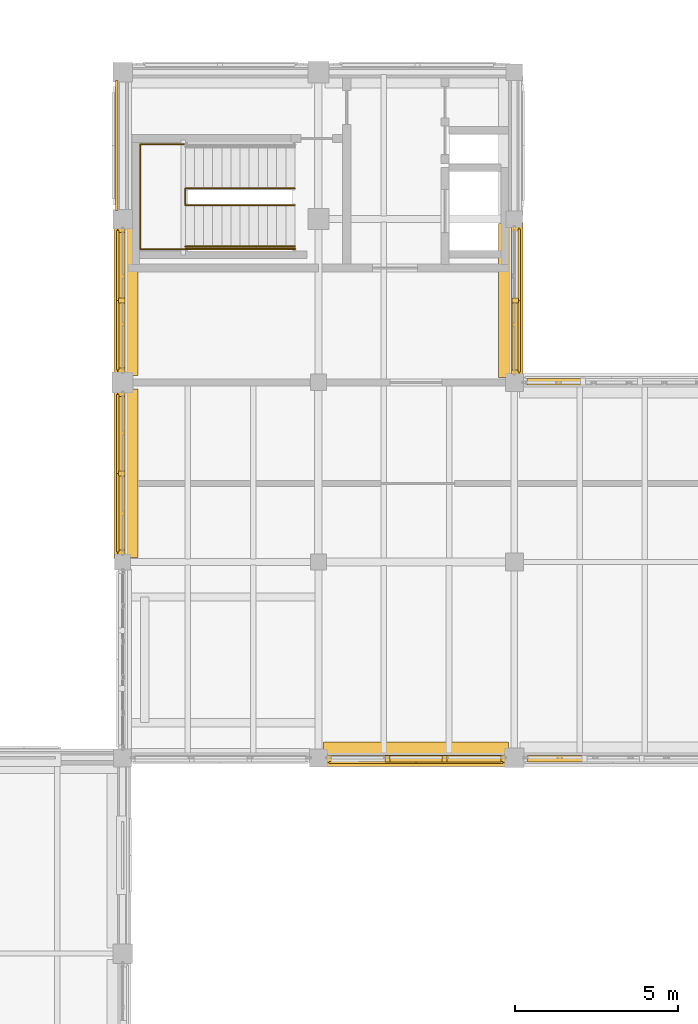
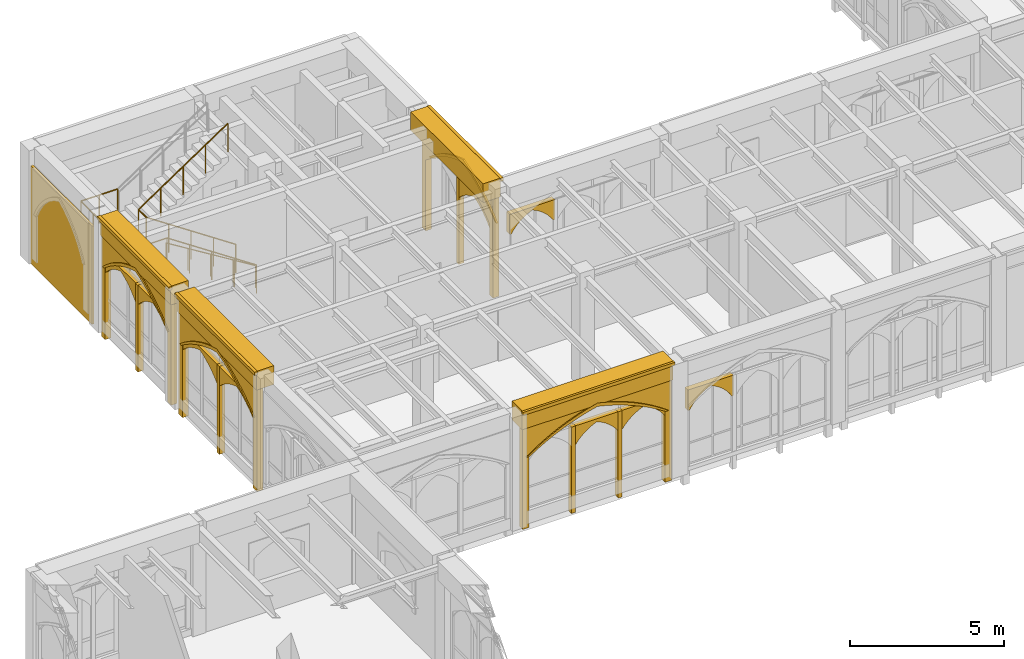
# One storey, part 120 of 143: 31 coverings, 4 railings.
"""IFC4 building model written with IfcOpenShell, lengths in metres."""

from ifc_helpers import new_model, si_unit, direction, frame, origin, origin_2d, place, context, subcontext, project, spatial, polyline, rectangle, circle, outline, extrude, material, type_object, element, save


model = new_model("IFC4")

# Units and contexts
model_context = context("Model", 3, precision=1e-05, world=origin(), true_north=direction((0.0, 1.0)))
body_context = subcontext(model_context, "Body", "Model", "MODEL_VIEW")
ifc_project = project(units=[si_unit("LENGTHUNIT", "METRE"), si_unit("AREAUNIT", "SQUARE_METRE"), si_unit("VOLUMEUNIT", "CUBIC_METRE"), si_unit("PLANEANGLEUNIT", "RADIAN"), si_unit("MASSUNIT", "GRAM", prefix="KILO")], contexts=[model_context])

# Site, building, storey
site_placement = place(None, origin())
site = spatial("IfcSite", under=ifc_project, at=site_placement, CompositionType="ELEMENT")
building_placement = place(site_placement, origin())
building = spatial("IfcBuilding", under=site, at=building_placement, Name="Cumevento Cable Car Station", CompositionType="ELEMENT")
storey_placement = place(building_placement, frame((0.0, 0.0, 9.0)))
storey = spatial("IfcBuildingStorey", under=building, at=storey_placement, Name="L03", CompositionType="ELEMENT", Elevation=9.0)

# Railings
ifc_material_1 = material(Name="Painted Galvanised Architectural Steel", Category="steel")
railing_type_1 = type_object("IfcRailingType", Name="Stair Guardrail GR-S115", PredefinedType="GUARDRAIL", material=ifc_material_1)
railing_1_placement = place(storey_placement, frame((27.280029296875, 61.929931640625, 0.0)))
element("IfcRailing", 1, at=railing_1_placement, inside=storey, type_object=railing_type_1, Name="Stair Well Inner Guardrail ST-04-L03", PredefinedType="GUARDRAIL", context=body_context, shape_type="SweptSolid", body=[
    extrude(circle(Radius=0.02392578125, at=origin_2d()), frame((0.0, 0.0, 1.1259765625), z_axis=(-0.830915400975, 0.0, 0.556398774641), x_axis=(0.0, -1.0, 0.0)), (0.0, 0.0, 1.0), 4.0439453125),
    extrude(circle(Radius=0.02392578125, at=origin_2d()), frame((-3.360107421875, 0.0, 3.3759765625), z_axis=(0.0, 1.0, 0.0), x_axis=(-1.0, 0.0, 0.0)), (0.0, 0.0, 1.0), 0.510009765625),
    extrude(circle(Radius=0.02392578125, at=origin_2d()), frame((-3.360107421875, 0.510009765625, 3.3759765625), z_axis=(0.830915400975, 0.0, 0.556398774641), x_axis=(0.0, 1.0, 0.0)), (0.0, 0.0, 1.0), 4.0439453125),
    extrude(circle(Radius=0.02001953125, at=origin_2d()), origin(), (0.0, 0.0, 1.0), 1.101806640625),
    extrude(circle(Radius=0.02001953125, at=origin_2d()), frame((-0.840087890625, 0.0, 0.5625)), (0.0, 0.0, 1.0), 1.101806640625),
    extrude(circle(Radius=0.02001953125, at=origin_2d()), frame((-1.68017578125, 0.0, 1.125)), (0.0, 0.0, 1.0), 1.101806640625),
    extrude(circle(Radius=0.02001953125, at=origin_2d()), frame((-2.52001953125, 0.0, 1.6875)), (0.0, 0.0, 1.0), 1.101806640625),
    extrude(circle(Radius=0.02001953125, at=origin_2d()), frame((-3.360107421875, 0.0, 2.25)), (0.0, 0.0, 1.0), 1.101806640625),
    extrude(circle(Radius=0.02001953125, at=origin_2d()), frame((-3.360107421875, 0.510009765625, 2.25)), (0.0, 0.0, 1.0), 1.101806640625),
    extrude(circle(Radius=0.02001953125, at=origin_2d()), frame((-2.52001953125, 0.510009765625, 2.8125)), (0.0, 0.0, 1.0), 1.101806640625),
    extrude(circle(Radius=0.02001953125, at=origin_2d()), frame((-1.68017578125, 0.510009765625, 3.375)), (0.0, 0.0, 1.0), 1.101806640625),
    extrude(circle(Radius=0.02001953125, at=origin_2d()), frame((-0.840087890625, 0.510009765625, 3.9375)), (0.0, 0.0, 1.0), 1.101806640625),
    extrude(circle(Radius=0.02001953125, at=origin_2d()), frame((0.0, 0.510009765625, 4.5)), (0.0, 0.0, 1.0), 1.101806640625),
])
railing_2_placement = place(storey_placement, frame((23.919921875, 60.580078125, 2.25)))
element("IfcRailing", 2, at=railing_2_placement, inside=storey, type_object=railing_type_1, Name="Stair Half-Landing Guardrail ST-04-L03", PredefinedType="GUARDRAIL", context=body_context, shape_type="SweptSolid", body=[
    extrude(circle(Radius=0.02392578125, at=origin_2d()), frame((0.0, 0.0, 1.1259765625), z_axis=(-1.0, 0.0, 0.0), x_axis=(0.0, -1.0, 0.0)), (0.0, 0.0, 1.0), 1.3798828125),
    extrude(circle(Radius=0.02392578125, at=origin_2d()), frame((-1.3798828125, 0.0, 1.1259765625), z_axis=(0.0, 1.0, 0.0), x_axis=(-1.0, 0.0, 0.0)), (0.0, 0.0, 1.0), 3.2099609375),
    extrude(circle(Radius=0.02392578125, at=origin_2d()), frame((-1.3798828125, 3.2099609375, 1.1259765625), z_axis=(1.0, 0.0, 0.0), x_axis=(0.0, 1.0, 0.0)), (0.0, 0.0, 1.0), 1.3798828125),
    extrude(circle(Radius=0.02001953125, at=origin_2d()), origin(), (0.0, 0.0, 1.0), 1.101806640625),
    extrude(circle(Radius=0.02001953125, at=origin_2d()), frame((-0.68994140625, 0.0, 0.0)), (0.0, 0.0, 1.0), 1.101806640625),
    extrude(circle(Radius=0.02001953125, at=origin_2d()), frame((-1.3798828125, 0.0, 0.0)), (0.0, 0.0, 1.0), 1.101806640625),
    extrude(circle(Radius=0.02001953125, at=origin_2d()), frame((-1.3798828125, 0.802490234375, 0.0)), (0.0, 0.0, 1.0), 1.101806640625),
    extrude(circle(Radius=0.02001953125, at=origin_2d()), frame((-1.3798828125, 1.60498046875, 0.0)), (0.0, 0.0, 1.0), 1.101806640625),
    extrude(circle(Radius=0.02001953125, at=origin_2d()), frame((-1.3798828125, 2.407470703125, 0.0)), (0.0, 0.0, 1.0), 1.101806640625),
    extrude(circle(Radius=0.02001953125, at=origin_2d()), frame((-1.3798828125, 3.2099609375, 0.0)), (0.0, 0.0, 1.0), 1.101806640625),
    extrude(circle(Radius=0.02001953125, at=origin_2d()), frame((-0.68994140625, 3.2099609375, 0.0)), (0.0, 0.0, 1.0), 1.101806640625),
    extrude(circle(Radius=0.02001953125, at=origin_2d()), frame((0.0, 3.2099609375, 0.0)), (0.0, 0.0, 1.0), 1.101806640625),
])
railing_3_placement = place(storey_placement, frame((27.280029296875, 60.580078125, 0.0)))
element("IfcRailing", 3, at=railing_3_placement, inside=storey, type_object=railing_type_1, Name="Stair Outer Guardrail ST-04-L03 F1", PredefinedType="GUARDRAIL", context=body_context, shape_type="SweptSolid", body=[
    extrude(circle(Radius=0.02392578125, at=origin_2d()), frame((0.0, 0.0, 1.1259765625), z_axis=(-0.830915400975, 0.0, 0.556398774641), x_axis=(0.0, -1.0, 0.0)), (0.0, 0.0, 1.0), 4.0439453125),
    extrude(circle(Radius=0.02001953125, at=origin_2d()), origin(), (0.0, 0.0, 1.0), 1.101806640625),
    extrude(circle(Radius=0.02001953125, at=origin_2d()), frame((-0.840087890625, 0.0, 0.5625)), (0.0, 0.0, 1.0), 1.101806640625),
    extrude(circle(Radius=0.02001953125, at=origin_2d()), frame((-1.68017578125, 0.0, 1.125)), (0.0, 0.0, 1.0), 1.101806640625),
    extrude(circle(Radius=0.02001953125, at=origin_2d()), frame((-2.52001953125, 0.0, 1.6875)), (0.0, 0.0, 1.0), 1.101806640625),
    extrude(circle(Radius=0.02001953125, at=origin_2d()), frame((-3.360107421875, 0.0, 2.25)), (0.0, 0.0, 1.0), 1.101806640625),
])
ifc_material_2 = material(Name="Brushed Stainless Steel Handrail Tube", Category="steel")
railing_type_2 = type_object("IfcRailingType", Name="Stair Handrail HR-090", PredefinedType="HANDRAIL", material=ifc_material_2)
railing_4_placement = place(storey_placement, frame((27.280029296875, 60.659912109375, 0.17626953125)))
element("IfcRailing", 4, at=railing_4_placement, inside=storey, type_object=railing_type_2, Name="Stair Pitch Handrail ST-04-L03 F1", PredefinedType="HANDRAIL", context=body_context, shape_type="SweptSolid", body=[
    extrude(circle(Radius=0.02099609375, at=origin_2d()), frame((0.0, 0.0, 0.87890625), z_axis=(-0.850623216509, 0.0, 0.525775754039), x_axis=(0.0, -1.0, 0.0)), (0.0, 0.0, 1.0), 3.9501953125),
    extrude(circle(Radius=0.01611328125, at=origin_2d()), origin(), (0.0, 0.0, 1.0), 0.85791015625),
    extrude(circle(Radius=0.01611328125, at=origin_2d()), frame((-0.840087890625, 0.0, 0.519287109375)), (0.0, 0.0, 1.0), 0.85791015625),
    extrude(circle(Radius=0.01611328125, at=origin_2d()), frame((-1.68017578125, 0.0, 1.03857421875)), (0.0, 0.0, 1.0), 0.85791015625),
    extrude(circle(Radius=0.01611328125, at=origin_2d()), frame((-2.52001953125, 0.0, 1.5576171875)), (0.0, 0.0, 1.0), 0.85791015625),
    extrude(circle(Radius=0.01611328125, at=origin_2d()), frame((-3.360107421875, 0.0, 2.076904296875)), (0.0, 0.0, 1.0), 0.85791015625),
])

# Coverings
ifc_material_3 = material(Name="Gnaisse Facoidal Stone Ashlar 85 MPa", Category="masonry")
covering_type = type_object("IfcCoveringType", Name="Gnaisse Ashlar Cladding CV-CL01", PredefinedType="CLADDING", material=ifc_material_3)
covering_1_placement = place(storey_placement, frame((30.987548828125, 45.14990234375, 3.8330078125), z_axis=(0.0, 0.0, 1.0), x_axis=(-1.0, 0.0, 0.0)))
element("IfcCovering", 5, at=covering_1_placement, inside=storey, type_object=covering_type, Name="Gothic Stone Spandrel Stringcourse sc:0627", PredefinedType="CLADDING", context=body_context, shape_type="SweptSolid", body=[
    extrude(rectangle(XDim=5.6650390625, YDim=0.659912109375, at=origin_2d()), origin(), (0.0, 0.0, 1.0), 0.7470703125),
])
covering_2_placement = place(storey_placement, frame((30.987548828125, 44.79248046875, 4.449951171875), z_axis=(0.0, 0.0, 1.0), x_axis=(-1.0, 0.0, 0.0)))
element("IfcCovering", 6, at=covering_2_placement, inside=storey, type_object=covering_type, Name="Gothic Cornice Dripstone Lip sc:0627", PredefinedType="CLADDING", context=body_context, shape_type="SweptSolid", body=[
    extrude(rectangle(XDim=5.705078125, YDim=0.114990234375, at=origin_2d()), origin(), (0.0, 0.0, 1.0), 0.1298828125),
])
covering_3_placement = place(storey_placement, frame((22.14990234375, 53.71240234375, 3.796875), z_axis=(0.0, 0.0, 1.0), x_axis=(0.0, 1.0, 0.0)))
element("IfcCovering", 7, at=covering_3_placement, inside=storey, type_object=covering_type, Name="Gothic Stone Spandrel Stringcourse sc:0635", PredefinedType="CLADDING", context=body_context, shape_type="SweptSolid", body=[
    extrude(rectangle(XDim=5.1650390625, YDim=0.659912109375, at=origin_2d()), origin(), (0.0, 0.0, 1.0), 0.7470703125),
])
covering_4_placement = place(storey_placement, frame((21.79248046875, 53.71240234375, 4.4140625), z_axis=(0.0, 0.0, 1.0), x_axis=(0.0, 1.0, 0.0)))
element("IfcCovering", 8, at=covering_4_placement, inside=storey, type_object=covering_type, Name="Gothic Cornice Dripstone Lip sc:0635", PredefinedType="CLADDING", context=body_context, shape_type="SweptSolid", body=[
    extrude(rectangle(XDim=5.205078125, YDim=0.114990234375, at=origin_2d()), origin(), (0.0, 0.0, 1.0), 0.1298828125),
])
covering_5_placement = place(storey_placement, frame((22.14990234375, 59.012451171875, 3.796875), z_axis=(0.0, 0.0, 1.0), x_axis=(0.0, 1.0, 0.0)))
element("IfcCovering", 9, at=covering_5_placement, inside=storey, type_object=covering_type, Name="Gothic Stone Spandrel Stringcourse sc:0638", PredefinedType="CLADDING", context=body_context, shape_type="SweptSolid", body=[
    extrude(rectangle(XDim=4.614990234375, YDim=0.659912109375, at=origin_2d()), origin(), (0.0, 0.0, 1.0), 0.7470703125),
])
covering_6_placement = place(storey_placement, frame((21.79248046875, 59.012451171875, 4.4140625), z_axis=(0.0, 0.0, 1.0), x_axis=(0.0, 1.0, 0.0)))
element("IfcCovering", 10, at=covering_6_placement, inside=storey, type_object=covering_type, Name="Gothic Cornice Dripstone Lip sc:0638", PredefinedType="CLADDING", context=body_context, shape_type="SweptSolid", body=[
    extrude(rectangle(XDim=4.655029296875, YDim=0.114990234375, at=origin_2d()), origin(), (0.0, 0.0, 1.0), 0.1298828125),
])
covering_7_placement = place(storey_placement, frame((33.85009765625, 59.012451171875, 3.796875), z_axis=(0.0, 0.0, 1.0), x_axis=(0.0, -1.0, 0.0)))
element("IfcCovering", 11, at=covering_7_placement, inside=storey, type_object=covering_type, Name="Gothic Stone Spandrel Stringcourse sc:0640", PredefinedType="CLADDING", context=body_context, shape_type="SweptSolid", body=[
    extrude(rectangle(XDim=4.715087890625, YDim=0.659912109375, at=origin_2d()), origin(), (0.0, 0.0, 1.0), 0.7470703125),
])
covering_8_placement = place(storey_placement, frame((34.20751953125, 59.012451171875, 4.4140625), z_axis=(0.0, 0.0, 1.0), x_axis=(0.0, -1.0, 0.0)))
element("IfcCovering", 12, at=covering_8_placement, inside=storey, type_object=covering_type, Name="Gothic Cornice Dripstone Lip sc:0640", PredefinedType="CLADDING", context=body_context, shape_type="SweptSolid", body=[
    extrude(rectangle(XDim=4.7548828125, YDim=0.114990234375, at=origin_2d()), origin(), (0.0, 0.0, 1.0), 0.1298828125),
])
placement_1 = place(storey_placement, frame((33.699951171875, 45.0, -0.159912109375), z_axis=(0.0, 0.0, 1.0), x_axis=(-1.0, 0.0, 0.0)))
element("IfcCovering", 13, at=placement_1, inside=storey, type_object=covering_type, Name="Gothic Ogival Pointed-Arch Stone Spandrel cw_ogival:0095", PredefinedType="CLADDING", context=body_context, shape_type="SweptSolid", body=[
    extrude(outline(polyline([(-0.080078125, 0.0), (-0.080078125, 4.133056640625), (5.5048828125, 4.133056640625), (5.5048828125, 0.0), (5.264892578125, 0.0), (5.264892578125, 2.838623046875), (4.970703125, 3.0263671875), (4.66796875, 3.200439453125), (4.357421875, 3.360107421875), (4.039794921875, 3.505126953125), (3.7158203125, 3.635009765625), (3.38623046875, 3.75), (3.051513671875, 3.849365234375), (2.71240234375, 3.932861328125), (2.37353515625, 3.849365234375), (2.038818359375, 3.75), (1.709228515625, 3.635009765625), (1.38525390625, 3.505126953125), (1.067626953125, 3.360107421875), (0.757080078125, 3.200439453125), (0.454345703125, 3.0263671875), (0.159912109375, 2.838623046875), (0.159912109375, 0.0), (-0.080078125, 0.0)])), frame((0.0, 0.139892578125, 0.0), z_axis=(0.0, -1.0, 0.0), x_axis=(1.0, 0.0, 0.0)), (0.0, 0.0, 1.0), 0.219970703125),
])
covering_10_placement = place(storey_placement, frame((33.699951171875, 45.0, 2.6787109375), z_axis=(0.0, 0.0, 1.0), x_axis=(-1.0, 0.0, 0.0)))
element("IfcCovering", 14, at=covering_10_placement, inside=storey, type_object=covering_type, Name="Gothic Pointed Archivolt Hood Moulding cw_ogival:0095", PredefinedType="CLADDING", context=body_context, shape_type="SweptSolid", body=[
    extrude(outline(polyline([(0.159912109375, 0.0), (0.454345703125, 0.187744140625), (0.757080078125, 0.36181640625), (1.067626953125, 0.521484375), (1.38525390625, 0.66650390625), (1.709228515625, 0.79638671875), (2.038818359375, 0.911376953125), (2.37353515625, 1.0107421875), (2.71240234375, 1.09423828125), (3.051513671875, 1.0107421875), (3.38623046875, 0.911376953125), (3.7158203125, 0.79638671875), (4.039794921875, 0.66650390625), (4.357421875, 0.521484375), (4.66796875, 0.36181640625), (4.970703125, 0.187744140625), (5.264892578125, 0.0), (5.375, 0.0), (5.072021484375, 0.210693359375), (4.7587890625, 0.40625), (4.4365234375, 0.585693359375), (4.10546875, 0.7490234375), (3.7666015625, 0.8955078125), (3.4208984375, 1.025146484375), (3.0693359375, 1.13720703125), (2.71240234375, 1.231689453125), (2.355712890625, 1.13720703125), (2.004150390625, 1.025146484375), (1.658447265625, 0.8955078125), (1.319580078125, 0.7490234375), (0.988525390625, 0.585693359375), (0.666259765625, 0.40625), (0.35302734375, 0.210693359375), (0.050048828125, 0.0), (0.159912109375, 0.0)])), frame((0.0, 0.181884765625, 0.0), z_axis=(0.0, -1.0, 0.0), x_axis=(1.0, 0.0, 0.0)), (0.0, 0.0, 1.0), 0.06689453125),
])
element("IfcCovering", 15, at=placement_1, inside=storey, type_object=covering_type, Name="Gothic Bifora Stone Colonnette cw_ogival:0095 #1", PredefinedType="CLADDING", context=body_context, shape_type="SweptSolid", body=[
    extrude(outline(polyline([(1.76171875, -0.02001953125), (1.91162109375, -0.02001953125), (1.91162109375, 3.40771484375), (1.76171875, 3.40771484375), (1.76171875, -0.02001953125)])), frame((0.0, 0.1279296875, 0.0), z_axis=(0.0, -1.0, 0.0), x_axis=(1.0, 0.0, 0.0)), (0.0, 0.0, 1.0), 0.205078125),
])
element("IfcCovering", 16, at=placement_1, inside=storey, type_object=covering_type, Name="Gothic Bifora Stone Colonnette cw_ogival:0095 #2", PredefinedType="CLADDING", context=body_context, shape_type="SweptSolid", body=[
    extrude(outline(polyline([(3.513427734375, -0.02001953125), (3.663330078125, -0.02001953125), (3.663330078125, 3.40771484375), (3.513427734375, 3.40771484375), (3.513427734375, -0.02001953125)])), frame((0.0, 0.1279296875, 0.0), z_axis=(0.0, -1.0, 0.0), x_axis=(1.0, 0.0, 0.0)), (0.0, 0.0, 1.0), 0.205078125),
])
for number, where, z_axis, x_axis, name in (
    (17, (33.570068359375, 45.0, 2.498779296875), (0.0, 0.0, 1.0), (-1.0, 0.0, 0.0), "Gothic Ogival Pointed-Arch Stone Spandrel cw_ogival:0095:sub:0"),
    (18, (31.818359375, 45.0, 2.498779296875), (0.0, 0.0, 1.0), (-1.0, 0.0, 0.0), "Gothic Ogival Pointed-Arch Stone Spandrel cw_ogival:0095:sub:1"),
):
    element("IfcCovering", number, at=place(storey_placement, frame(where, z_axis=z_axis, x_axis=x_axis)), inside=storey, type_object=covering_type, Name=name, PredefinedType="CLADDING", context=body_context, shape_type="SweptSolid", body=[
        extrude(outline(polyline([(-0.02001953125, 0.0), (-0.02001953125, 0.7490234375), (1.681640625, 0.7490234375), (1.681640625, 0.0), (1.62158203125, 0.0), (1.519287109375, 0.136962890625), (1.4033203125, 0.262939453125), (1.275146484375, 0.3759765625), (1.135986328125, 0.4755859375), (0.9873046875, 0.56005859375), (0.830810546875, 0.62890625), (0.67431640625, 0.56005859375), (0.525634765625, 0.4755859375), (0.386474609375, 0.3759765625), (0.25830078125, 0.262939453125), (0.142333984375, 0.136962890625), (0.0400390625, 0.0), (-0.02001953125, 0.0)])), frame((0.0, 0.1240234375, 0.0), z_axis=(0.0, -1.0, 0.0), x_axis=(1.0, 0.0, 0.0)), (0.0, 0.0, 1.0), 0.199951171875),
    ])
covering_13_placement = place(storey_placement, frame((36.10009765625, 45.0, 2.369140625), z_axis=(0.0, 0.0, 1.0), x_axis=(-1.0, 0.0, 0.0)))
element("IfcCovering", 19, at=covering_13_placement, inside=storey, type_object=covering_type, Name="Gothic Ogival Pointed-Arch Stone Spandrel cw_ogival:0096:sub:2", PredefinedType="CLADDING", context=body_context, shape_type="SweptSolid", body=[
    extrude(outline(polyline([(-0.02001953125, 0.0), (-0.02001953125, 0.81640625), (1.68994140625, 0.81640625), (1.68994140625, 0.0), (1.6298828125, 0.0), (1.5322265625, 0.150390625), (1.418701171875, 0.2890625), (1.29052734375, 0.41455078125), (1.1494140625, 0.525146484375), (0.996826171875, 0.619384765625), (0.8349609375, 0.6962890625), (0.673095703125, 0.619384765625), (0.5205078125, 0.525146484375), (0.37939453125, 0.41455078125), (0.251220703125, 0.2890625), (0.1376953125, 0.150390625), (0.0400390625, 0.0), (-0.02001953125, 0.0)])), frame((0.0, 0.1240234375, 0.0), z_axis=(0.0, -1.0, 0.0), x_axis=(1.0, 0.0, 0.0)), (0.0, 0.0, 1.0), 0.199951171875),
])
covering_14_placement = place(storey_placement, frame((34.405029296875, 56.5, 2.364013671875), z_axis=(0.0, 0.0, 1.0), x_axis=(1.0, 0.0, 0.0)))
element("IfcCovering", 20, at=covering_14_placement, inside=storey, type_object=covering_type, Name="Gothic Ogival Pointed-Arch Stone Spandrel cw_ogival:0097:sub:0", PredefinedType="CLADDING", context=body_context, shape_type="SweptSolid", body=[
    extrude(outline(polyline([(-0.02001953125, 0.0), (-0.02001953125, 0.80029296875), (1.67333984375, 0.80029296875), (1.67333984375, 0.0), (1.61328125, 0.0), (1.51611328125, 0.147216796875), (1.403076171875, 0.28271484375), (1.2763671875, 0.4052734375), (1.13671875, 0.51318359375), (0.986328125, 0.605224609375), (0.82666015625, 0.680419921875), (0.6669921875, 0.605224609375), (0.5166015625, 0.51318359375), (0.376953125, 0.4052734375), (0.250244140625, 0.28271484375), (0.13720703125, 0.147216796875), (0.0400390625, 0.0), (-0.02001953125, 0.0)])), frame((0.0, 0.1240234375, 0.0), z_axis=(0.0, -1.0, 0.0), x_axis=(1.0, 0.0, 0.0)), (0.0, 0.0, 1.0), 0.199951171875),
])
placement_2 = place(storey_placement, frame((22.0, 51.25, -0.27001953125), z_axis=(0.0, 0.0, 1.0), x_axis=(0.0, 1.0, 0.0)))
element("IfcCovering", 21, at=placement_2, inside=storey, type_object=covering_type, Name="Gothic Ogival Pointed-Arch Stone Spandrel cw_ogival:0101", PredefinedType="CLADDING", context=body_context, shape_type="SweptSolid", body=[
    extrude(outline(polyline([(-0.080078125, 0.0), (-0.080078125, 4.20703125), (5.0048828125, 4.20703125), (5.0048828125, 0.0), (4.764892578125, 0.0), (4.764892578125, 2.885986328125), (4.505615234375, 3.077392578125), (4.236572265625, 3.2548828125), (3.95849609375, 3.418212890625), (3.67236328125, 3.56689453125), (3.37890625, 3.70068359375), (3.078857421875, 3.818603515625), (2.773193359375, 3.9208984375), (2.46240234375, 4.0068359375), (2.15185546875, 3.9208984375), (1.84619140625, 3.818603515625), (1.546142578125, 3.70068359375), (1.252685546875, 3.56689453125), (0.966552734375, 3.418212890625), (0.6884765625, 3.2548828125), (0.41943359375, 3.077392578125), (0.159912109375, 2.885986328125), (0.159912109375, 0.0), (-0.080078125, 0.0)])), frame((0.0, 0.139892578125, 0.0), z_axis=(0.0, -1.0, 0.0), x_axis=(1.0, 0.0, 0.0)), (0.0, 0.0, 1.0), 0.219970703125),
])
covering_16_placement = place(storey_placement, frame((22.0, 51.25, 2.6162109375), z_axis=(0.0, 0.0, 1.0), x_axis=(0.0, 1.0, 0.0)))
element("IfcCovering", 22, at=covering_16_placement, inside=storey, type_object=covering_type, Name="Gothic Pointed Archivolt Hood Moulding cw_ogival:0101", PredefinedType="CLADDING", context=body_context, shape_type="SweptSolid", body=[
    extrude(outline(polyline([(0.159912109375, 0.0), (0.41943359375, 0.19140625), (0.6884765625, 0.368896484375), (0.966552734375, 0.5322265625), (1.252685546875, 0.680908203125), (1.546142578125, 0.814453125), (1.84619140625, 0.932373046875), (2.15185546875, 1.03466796875), (2.46240234375, 1.120849609375), (2.773193359375, 1.03466796875), (3.078857421875, 0.932373046875), (3.37890625, 0.814453125), (3.67236328125, 0.680908203125), (3.95849609375, 0.5322265625), (4.236572265625, 0.368896484375), (4.505615234375, 0.19140625), (4.764892578125, 0.0), (4.875, 0.0), (4.607177734375, 0.214111328125), (4.327880859375, 0.4130859375), (4.0380859375, 0.59619140625), (3.73876953125, 0.76318359375), (3.430419921875, 0.913330078125), (3.1142578125, 1.046142578125), (2.791259765625, 1.1611328125), (2.46240234375, 1.25830078125), (2.1337890625, 1.1611328125), (1.810791015625, 1.046142578125), (1.49462890625, 0.913330078125), (1.186279296875, 0.76318359375), (0.886962890625, 0.59619140625), (0.59716796875, 0.4130859375), (0.31787109375, 0.214111328125), (0.050048828125, 0.0), (0.159912109375, 0.0)])), frame((0.0, 0.181884765625, 0.0), z_axis=(0.0, -1.0, 0.0), x_axis=(1.0, 0.0, 0.0)), (0.0, 0.0, 1.0), 0.06689453125),
])
element("IfcCovering", 23, at=placement_2, inside=storey, type_object=covering_type, Name="Gothic Bifora Stone Colonnette cw_ogival:0101 #1", PredefinedType="CLADDING", context=body_context, shape_type="SweptSolid", body=[
    extrude(outline(polyline([(2.387451171875, -0.02001953125), (2.53759765625, -0.02001953125), (2.53759765625, 3.468994140625), (2.387451171875, 3.468994140625), (2.387451171875, -0.02001953125)])), frame((0.0, 0.1279296875, 0.0), z_axis=(0.0, -1.0, 0.0), x_axis=(1.0, 0.0, 0.0)), (0.0, 0.0, 1.0), 0.205078125),
])
for number, where, z_axis, x_axis, name in (
    (24, (22.0, 51.3798828125, 2.43603515625), (0.0, 0.0, 1.0), (0.0, 1.0, 0.0), "Gothic Ogival Pointed-Arch Stone Spandrel cw_ogival:0101:sub:0"),
    (25, (22.0, 53.757568359375, 2.43603515625), (0.0, 0.0, 1.0), (0.0, 1.0, 0.0), "Gothic Ogival Pointed-Arch Stone Spandrel cw_ogival:0101:sub:1"),
):
    element("IfcCovering", number, at=place(storey_placement, frame(where, z_axis=z_axis, x_axis=x_axis)), inside=storey, type_object=covering_type, Name=name, PredefinedType="CLADDING", context=body_context, shape_type="SweptSolid", body=[
        extrude(outline(polyline([(-0.02001953125, 0.0), (-0.02001953125, 0.762939453125), (2.3076171875, 0.762939453125), (2.3076171875, 0.0), (2.24755859375, 0.0), (2.08740234375, 0.143310546875), (1.916015625, 0.273193359375), (1.73486328125, 0.388671875), (1.544921875, 0.4892578125), (1.347412109375, 0.57421875), (1.143798828125, 0.642822265625), (0.940185546875, 0.57421875), (0.74267578125, 0.4892578125), (0.552734375, 0.388671875), (0.37158203125, 0.273193359375), (0.2001953125, 0.143310546875), (0.0400390625, 0.0), (-0.02001953125, 0.0)])), frame((0.0, 0.1240234375, 0.0), z_axis=(0.0, -1.0, 0.0), x_axis=(1.0, 0.0, 0.0)), (0.0, 0.0, 1.0), 0.199951171875),
    ])
placement_3 = place(storey_placement, frame((22.0, 56.824951171875, -0.219970703125), z_axis=(0.0, 0.0, 1.0), x_axis=(0.0, 1.0, 0.0)))
element("IfcCovering", 26, at=placement_3, inside=storey, type_object=covering_type, Name="Gothic Ogival Pointed-Arch Stone Spandrel cw_ogival:0102", PredefinedType="CLADDING", context=body_context, shape_type="SweptSolid", body=[
    extrude(outline(polyline([(-0.080078125, 0.0), (-0.080078125, 4.156982421875), (4.455078125, 4.156982421875), (4.455078125, 0.0), (4.215087890625, 0.0), (4.215087890625, 2.85400390625), (3.9921875, 3.04150390625), (3.759033203125, 3.21533203125), (3.516357421875, 3.375732421875), (3.2646484375, 3.522216796875), (3.005126953125, 3.65380859375), (2.738525390625, 3.7705078125), (2.4658203125, 3.87158203125), (2.1875, 3.956787109375), (1.9091796875, 3.87158203125), (1.636474609375, 3.7705078125), (1.369873046875, 3.65380859375), (1.1103515625, 3.522216796875), (0.858642578125, 3.375732421875), (0.615966796875, 3.21533203125), (0.3828125, 3.04150390625), (0.159912109375, 2.85400390625), (0.159912109375, 0.0), (-0.080078125, 0.0)])), frame((0.0, 0.139892578125, 0.0), z_axis=(0.0, -1.0, 0.0), x_axis=(1.0, 0.0, 0.0)), (0.0, 0.0, 1.0), 0.219970703125),
])
covering_19_placement = place(storey_placement, frame((22.0, 56.824951171875, 2.634033203125), z_axis=(0.0, 0.0, 1.0), x_axis=(0.0, 1.0, 0.0)))
element("IfcCovering", 27, at=covering_19_placement, inside=storey, type_object=covering_type, Name="Gothic Pointed Archivolt Hood Moulding cw_ogival:0102", PredefinedType="CLADDING", context=body_context, shape_type="SweptSolid", body=[
    extrude(outline(polyline([(0.159912109375, 0.0), (0.3828125, 0.187255859375), (0.615966796875, 0.361328125), (0.858642578125, 0.521728515625), (1.1103515625, 0.668212890625), (1.369873046875, 0.7998046875), (1.636474609375, 0.91650390625), (1.9091796875, 1.017578125), (2.1875, 1.102783203125), (2.4658203125, 1.017578125), (2.738525390625, 0.91650390625), (3.005126953125, 0.7998046875), (3.2646484375, 0.668212890625), (3.516357421875, 0.521728515625), (3.759033203125, 0.361328125), (3.9921875, 0.187255859375), (4.215087890625, 0.0), (4.324951171875, 0.0), (4.09423828125, 0.209716796875), (3.85107421875, 0.405029296875), (3.596435546875, 0.58544921875), (3.33154296875, 0.75), (3.05712890625, 0.8984375), (2.7744140625, 1.02978515625), (2.484130859375, 1.14404296875), (2.1875, 1.240478515625), (1.890869140625, 1.14404296875), (1.6005859375, 1.02978515625), (1.31787109375, 0.8984375), (1.04345703125, 0.75), (0.778564453125, 0.58544921875), (0.52392578125, 0.405029296875), (0.28076171875, 0.209716796875), (0.050048828125, 0.0), (0.159912109375, 0.0)])), frame((0.0, 0.181884765625, 0.0), z_axis=(0.0, -1.0, 0.0), x_axis=(1.0, 0.0, 0.0)), (0.0, 0.0, 1.0), 0.06689453125),
])
element("IfcCovering", 28, at=placement_3, inside=storey, type_object=covering_type, Name="Gothic Bifora Stone Colonnette cw_ogival:0102 #1", PredefinedType="CLADDING", context=body_context, shape_type="SweptSolid", body=[
    extrude(outline(polyline([(2.112548828125, -0.02001953125), (2.262451171875, -0.02001953125), (2.262451171875, 3.427490234375), (2.112548828125, 3.427490234375), (2.112548828125, -0.02001953125)])), frame((0.0, 0.1279296875, 0.0), z_axis=(0.0, -1.0, 0.0), x_axis=(1.0, 0.0, 0.0)), (0.0, 0.0, 1.0), 0.205078125),
])
for number, where, z_axis, x_axis, name in (
    (29, (22.0, 56.955078125, 2.4541015625), (0.0, 0.0, 1.0), (0.0, 1.0, 0.0), "Gothic Ogival Pointed-Arch Stone Spandrel cw_ogival:0102:sub:0"),
    (30, (22.0, 59.0576171875, 2.4541015625), (0.0, 0.0, 1.0), (0.0, 1.0, 0.0), "Gothic Ogival Pointed-Arch Stone Spandrel cw_ogival:0102:sub:1"),
):
    element("IfcCovering", number, at=place(storey_placement, frame(where, z_axis=z_axis, x_axis=x_axis)), inside=storey, type_object=covering_type, Name=name, PredefinedType="CLADDING", context=body_context, shape_type="SweptSolid", body=[
        extrude(outline(polyline([(-0.02001953125, 0.0), (-0.02001953125, 0.75341796875), (2.032470703125, 0.75341796875), (2.032470703125, 0.0), (1.972412109375, 0.0), (1.837158203125, 0.14013671875), (1.68994140625, 0.267578125), (1.53173828125, 0.381591796875), (1.3642578125, 0.481201171875), (1.188720703125, 0.565185546875), (1.00634765625, 0.633544921875), (0.82373046875, 0.565185546875), (0.648193359375, 0.481201171875), (0.480712890625, 0.381591796875), (0.322509765625, 0.267578125), (0.17529296875, 0.14013671875), (0.0400390625, 0.0), (-0.02001953125, 0.0)])), frame((0.0, 0.1240234375, 0.0), z_axis=(0.0, -1.0, 0.0), x_axis=(1.0, 0.0, 0.0)), (0.0, 0.0, 1.0), 0.199951171875),
    ])
placement_4 = place(storey_placement, frame((34.0, 61.25, -0.159912109375), z_axis=(0.0, 0.0, 1.0), x_axis=(0.0, -1.0, 0.0)))
element("IfcCovering", 31, at=placement_4, inside=storey, type_object=covering_type, Name="Gothic Ogival Pointed-Arch Stone Spandrel cw_ogival:0103", PredefinedType="CLADDING", context=body_context, shape_type="SweptSolid", body=[
    extrude(outline(polyline([(-0.080078125, 0.0), (-0.080078125, 4.096923828125), (4.554931640625, 4.096923828125), (4.554931640625, 0.0), (4.31494140625, 0.0), (4.31494140625, 2.815673828125), (4.084228515625, 2.999755859375), (3.84375, 3.170654296875), (3.59423828125, 3.328125), (3.336181640625, 3.471435546875), (3.07080078125, 3.600341796875), (2.798583984375, 3.714599609375), (2.520751953125, 3.8134765625), (2.237548828125, 3.89697265625), (1.954345703125, 3.8134765625), (1.676513671875, 3.714599609375), (1.404296875, 3.600341796875), (1.138916015625, 3.471435546875), (0.880859375, 3.328125), (0.63134765625, 3.170654296875), (0.390869140625, 2.999755859375), (0.159912109375, 2.815673828125), (0.159912109375, 0.0), (-0.080078125, 0.0)])), frame((0.0, 0.139892578125, 0.0), z_axis=(0.0, -1.0, 0.0), x_axis=(1.0, 0.0, 0.0)), (0.0, 0.0, 1.0), 0.219970703125),
])
covering_22_placement = place(storey_placement, frame((34.0, 61.25, 2.65576171875), z_axis=(0.0, 0.0, 1.0), x_axis=(0.0, -1.0, 0.0)))
element("IfcCovering", 32, at=covering_22_placement, inside=storey, type_object=covering_type, Name="Gothic Pointed Archivolt Hood Moulding cw_ogival:0103", PredefinedType="CLADDING", context=body_context, shape_type="SweptSolid", body=[
    extrude(outline(polyline([(0.159912109375, 0.0), (0.390869140625, 0.18408203125), (0.63134765625, 0.35498046875), (0.880859375, 0.512451171875), (1.138916015625, 0.65576171875), (1.404296875, 0.78466796875), (1.676513671875, 0.89892578125), (1.954345703125, 0.997802734375), (2.237548828125, 1.081298828125), (2.520751953125, 0.997802734375), (2.798583984375, 0.89892578125), (3.07080078125, 0.78466796875), (3.336181640625, 0.65576171875), (3.59423828125, 0.512451171875), (3.84375, 0.35498046875), (4.084228515625, 0.18408203125), (4.31494140625, 0.0), (4.425048828125, 0.0), (4.186279296875, 0.20654296875), (3.935546875, 0.39892578125), (3.67431640625, 0.576171875), (3.40283203125, 0.73779296875), (3.12255859375, 0.883544921875), (2.834228515625, 1.012451171875), (2.5390625, 1.124267578125), (2.237548828125, 1.21875), (1.93603515625, 1.124267578125), (1.640869140625, 1.012451171875), (1.3525390625, 0.883544921875), (1.072265625, 0.73779296875), (0.80078125, 0.576171875), (0.53955078125, 0.39892578125), (0.288818359375, 0.20654296875), (0.050048828125, 0.0), (0.159912109375, 0.0)])), frame((0.0, 0.181884765625, 0.0), z_axis=(0.0, -1.0, 0.0), x_axis=(1.0, 0.0, 0.0)), (0.0, 0.0, 1.0), 0.06689453125),
])
element("IfcCovering", 33, at=placement_4, inside=storey, type_object=covering_type, Name="Gothic Bifora Stone Colonnette cw_ogival:0103 #1", PredefinedType="CLADDING", context=body_context, shape_type="SweptSolid", body=[
    extrude(outline(polyline([(2.16259765625, -0.02001953125), (2.3125, -0.02001953125), (2.3125, 3.3779296875), (2.16259765625, 3.3779296875), (2.16259765625, -0.02001953125)])), frame((0.0, 0.1279296875, 0.0), z_axis=(0.0, -1.0, 0.0), x_axis=(1.0, 0.0, 0.0)), (0.0, 0.0, 1.0), 0.205078125),
])
covering_24_placement = place(storey_placement, frame((34.0, 58.967529296875, 2.4755859375), z_axis=(0.0, 0.0, 1.0), x_axis=(0.0, -1.0, 0.0)))
element("IfcCovering", 34, at=covering_24_placement, inside=storey, type_object=covering_type, Name="Gothic Ogival Pointed-Arch Stone Spandrel cw_ogival:0103:sub:1", PredefinedType="CLADDING", context=body_context, shape_type="SweptSolid", body=[
    extrude(outline(polyline([(-0.02001953125, 0.0), (-0.02001953125, 0.7421875), (2.08251953125, 0.7421875), (2.08251953125, 0.0), (2.0224609375, 0.0), (1.881591796875, 0.137939453125), (1.7294921875, 0.263427734375), (1.567138671875, 0.37548828125), (1.395751953125, 0.472900390625), (1.216796875, 0.555419921875), (1.03125, 0.622314453125), (0.845703125, 0.555419921875), (0.666748046875, 0.472900390625), (0.495361328125, 0.37548828125), (0.3330078125, 0.263427734375), (0.180908203125, 0.137939453125), (0.0400390625, 0.0), (-0.02001953125, 0.0)])), frame((0.0, 0.1240234375, 0.0), z_axis=(0.0, -1.0, 0.0), x_axis=(1.0, 0.0, 0.0)), (0.0, 0.0, 1.0), 0.199951171875),
])
covering_25_placement = place(storey_placement, frame((22.0, 61.800048828125, 0.0), z_axis=(0.0, 0.0, 1.0), x_axis=(0.0, 1.0, 0.0)))
element("IfcCovering", 35, at=covering_25_placement, inside=storey, type_object=covering_type, Name="Exterior Gnaisse Stone Wall Ashlar #245", PredefinedType="CLADDING", context=body_context, shape_type="SweptSolid", body=[
    extrude(outline(polyline([(-0.0400390625, -0.02001953125), (3.93994140625, -0.02001953125), (3.93994140625, 3.876953125), (-0.0400390625, 3.876953125), (-0.0400390625, -0.02001953125)])), frame((0.0, 0.222412109375, 0.0), z_axis=(0.0, -1.0, 0.0), x_axis=(1.0, 0.0, 0.0)), (0.0, 0.0, 1.0), 0.0849609375),
])

save(model, "model.ifc")
